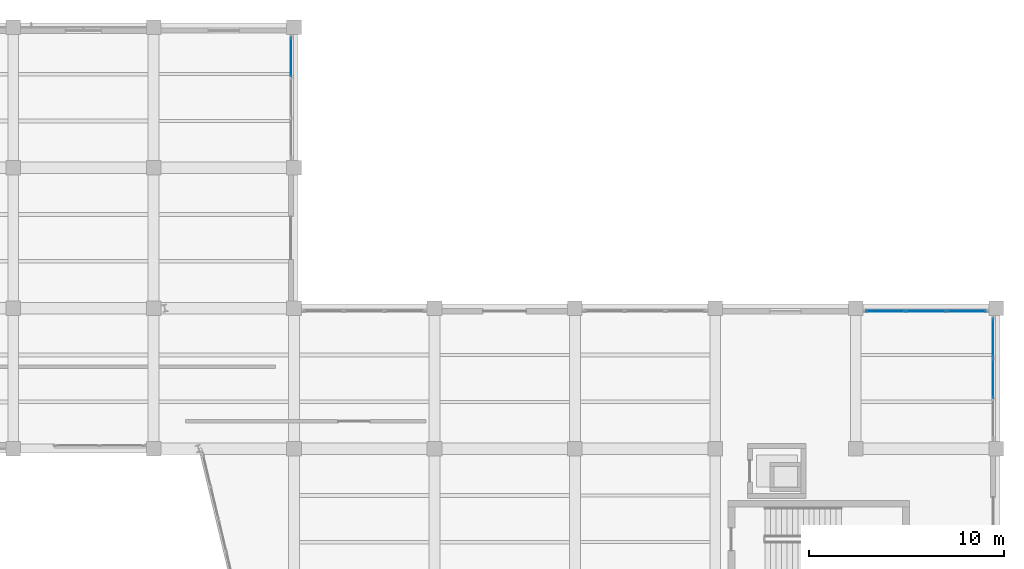
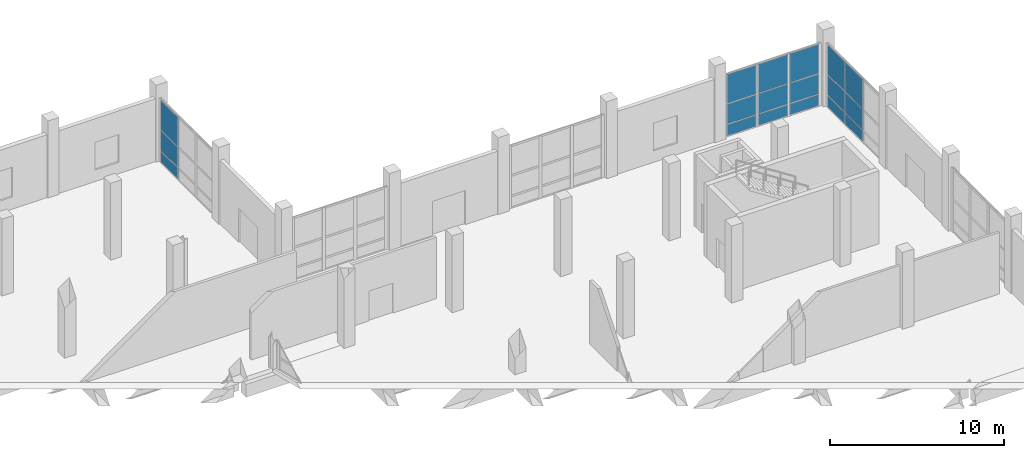
# One storey, part 95 of 137: 18 plates, 3 elements without a shape of their own.
"""IFC4 building model written with IfcOpenShell, lengths in metres."""

from ifc_helpers import new_model, si_unit, direction, frame, origin, origin_2d, place, context, subcontext, project, spatial, rectangle, extrude, material, layer, layer_set, type_object, element, aggregate, save


model = new_model("IFC4")

# Units and contexts
model_context = context("Model", 3, precision=1e-05, world=origin(), true_north=direction((0.0, 1.0)))
body_context = subcontext(model_context, "Body", "Model", "MODEL_VIEW")
ifc_project = project(units=[si_unit("LENGTHUNIT", "METRE"), si_unit("AREAUNIT", "SQUARE_METRE"), si_unit("VOLUMEUNIT", "CUBIC_METRE"), si_unit("PLANEANGLEUNIT", "RADIAN"), si_unit("MASSUNIT", "GRAM", prefix="KILO")], contexts=[model_context])

# Site, building, storey
site_placement = place(None, origin())
site = spatial("IfcSite", under=ifc_project, at=site_placement, CompositionType="ELEMENT")
building_placement = place(site_placement, origin())
building = spatial("IfcBuilding", under=site, at=building_placement, Name="Kalmorath City Hall", CompositionType="ELEMENT")
storey_placement = place(building_placement, origin())
storey = spatial("IfcBuildingStorey", under=building, at=storey_placement, Name="L00", CompositionType="ELEMENT", Elevation=0.0)

# Curtain wall, plates
ifc_material_1 = material(Name="Anodised aluminium and laminated glass", Category="aluminium")
curtain_wall_type_1 = type_object("IfcCurtainWallType", Name="Unitised hurricane curtain wall 6270x4461 M1850", PredefinedType="NOTDEFINED", material=ifc_material_1)
curtain_wall_1_placement = place(storey_placement, origin())
curtain_wall_1 = element("IfcCurtainWall", 1, at=curtain_wall_1_placement, inside=storey, type_object=curtain_wall_type_1, Name="L00 curtain wall CW-63X45M18 #1", PredefinedType="NOTDEFINED")
ifc_material_2 = material(Name="Hurricane laminated low-E glass", Category="glass")
ifc_layer = layer(ifc_material_2, 0.035888671875)
ifc_layer_set = layer_set([ifc_layer], Name="Hurricane laminated low-E glass")
plate_type = type_object("IfcPlateType", Name="Library acoustic low-E glazed panel 36", PredefinedType="CURTAIN_PANEL", material=ifc_layer_set)
plate_1_placement = place(storey_placement, frame((129.43994140625, 113.671142578125, 0.06005859375), z_axis=(0.0, 0.0, 1.0), x_axis=(0.0, -1.0, 0.0)))
plate_1 = element("IfcPlate", 2, at=plate_1_placement, type_object=plate_type, Name="CW-63X45M18 panel 1.1", PredefinedType="CURTAIN_PANEL", context=body_context, shape_type="SweptSolid", body=[
    extrude(rectangle(XDim=1.9775390625, YDim=0.035888671875, at=origin_2d()), origin(), (0.0, 0.0, 1.0), 0.760009765625),
])
plate_2_placement = place(storey_placement, frame((129.43994140625, 113.671142578125, 0.8798828125), z_axis=(0.0, 0.0, 1.0), x_axis=(0.0, -1.0, 0.0)))
plate_2 = element("IfcPlate", 3, at=plate_2_placement, type_object=plate_type, Name="CW-63X45M18 panel 1.2", PredefinedType="CURTAIN_PANEL", context=body_context, shape_type="SweptSolid", body=[
    extrude(rectangle(XDim=1.9775390625, YDim=0.035888671875, at=origin_2d()), origin(), (0.0, 0.0, 1.0), 1.409912109375),
])
plate_3_placement = place(storey_placement, frame((129.43994140625, 113.671142578125, 2.35009765625), z_axis=(0.0, 0.0, 1.0), x_axis=(0.0, -1.0, 0.0)))
plate_3 = element("IfcPlate", 4, at=plate_3_placement, type_object=plate_type, Name="CW-63X45M18 panel 1.3", PredefinedType="CURTAIN_PANEL", context=body_context, shape_type="SweptSolid", body=[
    extrude(rectangle(XDim=1.9775390625, YDim=0.035888671875, at=origin_2d()), origin(), (0.0, 0.0, 1.0), 2.051025390625),
])
aggregate(curtain_wall_1, [plate_1, plate_2, plate_3])

ifc_material_3 = material(Name="Anodised aluminium and laminated glass", Category="aluminium")
curtain_wall_type_2 = type_object("IfcCurtainWallType", Name="Unitised hurricane curtain wall 6270x4411 M1850", PredefinedType="NOTDEFINED", material=ifc_material_3)
curtain_wall_2_placement = place(storey_placement, origin())
curtain_wall_2 = element("IfcCurtainWall", 5, at=curtain_wall_2_placement, inside=storey, type_object=curtain_wall_type_2, Name="L00 curtain wall CW-63X44M18 #4", PredefinedType="NOTDEFINED")
plate_4_placement = place(storey_placement, frame((159.9287109375, 100.639892578125, 0.06005859375), z_axis=(0.0, 0.0, 1.0), x_axis=(1.0, 0.0, 0.0)))
plate_4 = element("IfcPlate", 6, at=plate_4_placement, type_object=plate_type, Name="CW-63X44M18 panel 1.1", PredefinedType="CURTAIN_PANEL", context=body_context, shape_type="SweptSolid", body=[
    extrude(rectangle(XDim=1.9775390625, YDim=0.035888671875, at=origin_2d()), origin(), (0.0, 0.0, 1.0), 0.760009765625),
])
plate_5_placement = place(storey_placement, frame((159.9287109375, 100.639892578125, 0.8798828125), z_axis=(0.0, 0.0, 1.0), x_axis=(1.0, 0.0, 0.0)))
plate_5 = element("IfcPlate", 7, at=plate_5_placement, type_object=plate_type, Name="CW-63X44M18 panel 1.2", PredefinedType="CURTAIN_PANEL", context=body_context, shape_type="SweptSolid", body=[
    extrude(rectangle(XDim=1.9775390625, YDim=0.035888671875, at=origin_2d()), origin(), (0.0, 0.0, 1.0), 1.384033203125),
])
plate_6_placement = place(storey_placement, frame((159.9287109375, 100.639892578125, 2.32373046875), z_axis=(0.0, 0.0, 1.0), x_axis=(1.0, 0.0, 0.0)))
plate_6 = element("IfcPlate", 8, at=plate_6_placement, type_object=plate_type, Name="CW-63X44M18 panel 1.3", PredefinedType="CURTAIN_PANEL", context=body_context, shape_type="SweptSolid", body=[
    extrude(rectangle(XDim=1.9775390625, YDim=0.035888671875, at=origin_2d()), origin(), (0.0, 0.0, 1.0), 2.027099609375),
])
plate_7_placement = place(storey_placement, frame((162.0, 100.639892578125, 0.06005859375), z_axis=(0.0, 0.0, 1.0), x_axis=(1.0, 0.0, 0.0)))
plate_7 = element("IfcPlate", 9, at=plate_7_placement, type_object=plate_type, Name="CW-63X44M18 panel 2.1", PredefinedType="CURTAIN_PANEL", context=body_context, shape_type="SweptSolid", body=[
    extrude(rectangle(XDim=2.014892578125, YDim=0.035888671875, at=origin_2d()), origin(), (0.0, 0.0, 1.0), 0.760009765625),
])
plate_8_placement = place(storey_placement, frame((162.0, 100.639892578125, 0.8798828125), z_axis=(0.0, 0.0, 1.0), x_axis=(1.0, 0.0, 0.0)))
plate_8 = element("IfcPlate", 10, at=plate_8_placement, type_object=plate_type, Name="CW-63X44M18 panel 2.2", PredefinedType="CURTAIN_PANEL", context=body_context, shape_type="SweptSolid", body=[
    extrude(rectangle(XDim=2.014892578125, YDim=0.035888671875, at=origin_2d()), origin(), (0.0, 0.0, 1.0), 1.384033203125),
])
plate_9_placement = place(storey_placement, frame((162.0, 100.639892578125, 2.32373046875), z_axis=(0.0, 0.0, 1.0), x_axis=(1.0, 0.0, 0.0)))
plate_9 = element("IfcPlate", 11, at=plate_9_placement, type_object=plate_type, Name="CW-63X44M18 panel 2.3", PredefinedType="CURTAIN_PANEL", context=body_context, shape_type="SweptSolid", body=[
    extrude(rectangle(XDim=2.014892578125, YDim=0.035888671875, at=origin_2d()), origin(), (0.0, 0.0, 1.0), 2.027099609375),
])
plate_10_placement = place(storey_placement, frame((164.0712890625, 100.639892578125, 0.06005859375), z_axis=(0.0, 0.0, 1.0), x_axis=(1.0, 0.0, 0.0)))
plate_10 = element("IfcPlate", 12, at=plate_10_placement, type_object=plate_type, Name="CW-63X44M18 panel 3.1", PredefinedType="CURTAIN_PANEL", context=body_context, shape_type="SweptSolid", body=[
    extrude(rectangle(XDim=1.9775390625, YDim=0.035888671875, at=origin_2d()), origin(), (0.0, 0.0, 1.0), 0.760009765625),
])
plate_11_placement = place(storey_placement, frame((164.0712890625, 100.639892578125, 0.8798828125), z_axis=(0.0, 0.0, 1.0), x_axis=(1.0, 0.0, 0.0)))
plate_11 = element("IfcPlate", 13, at=plate_11_placement, type_object=plate_type, Name="CW-63X44M18 panel 3.2", PredefinedType="CURTAIN_PANEL", context=body_context, shape_type="SweptSolid", body=[
    extrude(rectangle(XDim=1.9775390625, YDim=0.035888671875, at=origin_2d()), origin(), (0.0, 0.0, 1.0), 1.384033203125),
])
plate_12_placement = place(storey_placement, frame((164.0712890625, 100.639892578125, 2.32373046875), z_axis=(0.0, 0.0, 1.0), x_axis=(1.0, 0.0, 0.0)))
plate_12 = element("IfcPlate", 14, at=plate_12_placement, type_object=plate_type, Name="CW-63X44M18 panel 3.3", PredefinedType="CURTAIN_PANEL", context=body_context, shape_type="SweptSolid", body=[
    extrude(rectangle(XDim=1.9775390625, YDim=0.035888671875, at=origin_2d()), origin(), (0.0, 0.0, 1.0), 2.027099609375),
])
aggregate(curtain_wall_2, [plate_4, plate_5, plate_6, plate_7, plate_8, plate_9, plate_10, plate_11, plate_12])

curtain_wall_3_placement = place(storey_placement, origin())
curtain_wall_3 = element("IfcCurtainWall", 15, at=curtain_wall_3_placement, inside=storey, type_object=curtain_wall_type_1, Name="L00 curtain wall CW-63X45M18 #5", PredefinedType="NOTDEFINED")
plate_13_placement = place(storey_placement, frame((165.43994140625, 99.271240234375, 0.06005859375), z_axis=(0.0, 0.0, 1.0), x_axis=(0.0, -1.0, 0.0)))
plate_13 = element("IfcPlate", 16, at=plate_13_placement, type_object=plate_type, Name="CW-63X45M18 panel 1.1", PredefinedType="CURTAIN_PANEL", context=body_context, shape_type="SweptSolid", body=[
    extrude(rectangle(XDim=1.9775390625, YDim=0.035888671875, at=origin_2d()), origin(), (0.0, 0.0, 1.0), 0.760009765625),
])
plate_14_placement = place(storey_placement, frame((165.43994140625, 99.271240234375, 0.8798828125), z_axis=(0.0, 0.0, 1.0), x_axis=(0.0, -1.0, 0.0)))
plate_14 = element("IfcPlate", 17, at=plate_14_placement, type_object=plate_type, Name="CW-63X45M18 panel 1.2", PredefinedType="CURTAIN_PANEL", context=body_context, shape_type="SweptSolid", body=[
    extrude(rectangle(XDim=1.9775390625, YDim=0.035888671875, at=origin_2d()), origin(), (0.0, 0.0, 1.0), 1.409912109375),
])
plate_15_placement = place(storey_placement, frame((165.43994140625, 99.271240234375, 2.35009765625), z_axis=(0.0, 0.0, 1.0), x_axis=(0.0, -1.0, 0.0)))
plate_15 = element("IfcPlate", 18, at=plate_15_placement, type_object=plate_type, Name="CW-63X45M18 panel 1.3", PredefinedType="CURTAIN_PANEL", context=body_context, shape_type="SweptSolid", body=[
    extrude(rectangle(XDim=1.9775390625, YDim=0.035888671875, at=origin_2d()), origin(), (0.0, 0.0, 1.0), 2.051025390625),
])
plate_16_placement = place(storey_placement, frame((165.43994140625, 97.199951171875, 0.06005859375), z_axis=(0.0, 0.0, 1.0), x_axis=(0.0, -1.0, 0.0)))
plate_16 = element("IfcPlate", 19, at=plate_16_placement, type_object=plate_type, Name="CW-63X45M18 panel 2.1", PredefinedType="CURTAIN_PANEL", context=body_context, shape_type="SweptSolid", body=[
    extrude(rectangle(XDim=2.014892578125, YDim=0.035888671875, at=origin_2d()), origin(), (0.0, 0.0, 1.0), 0.760009765625),
])
plate_17_placement = place(storey_placement, frame((165.43994140625, 97.199951171875, 0.8798828125), z_axis=(0.0, 0.0, 1.0), x_axis=(0.0, -1.0, 0.0)))
plate_17 = element("IfcPlate", 20, at=plate_17_placement, type_object=plate_type, Name="CW-63X45M18 panel 2.2", PredefinedType="CURTAIN_PANEL", context=body_context, shape_type="SweptSolid", body=[
    extrude(rectangle(XDim=2.014892578125, YDim=0.035888671875, at=origin_2d()), origin(), (0.0, 0.0, 1.0), 1.409912109375),
])
plate_18_placement = place(storey_placement, frame((165.43994140625, 97.199951171875, 2.35009765625), z_axis=(0.0, 0.0, 1.0), x_axis=(0.0, -1.0, 0.0)))
plate_18 = element("IfcPlate", 21, at=plate_18_placement, type_object=plate_type, Name="CW-63X45M18 panel 2.3", PredefinedType="CURTAIN_PANEL", context=body_context, shape_type="SweptSolid", body=[
    extrude(rectangle(XDim=2.014892578125, YDim=0.035888671875, at=origin_2d()), origin(), (0.0, 0.0, 1.0), 2.051025390625),
])
aggregate(curtain_wall_3, [plate_13, plate_14, plate_15, plate_16, plate_17, plate_18])

save(model, "model.ifc")
